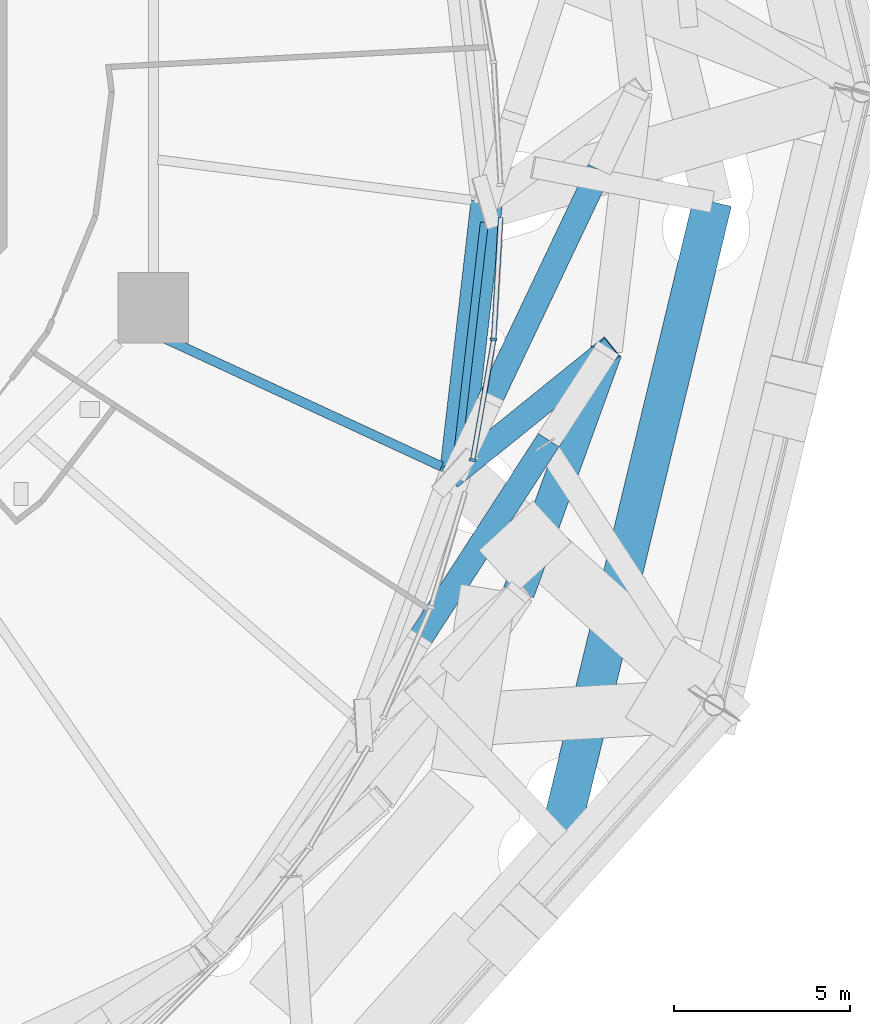
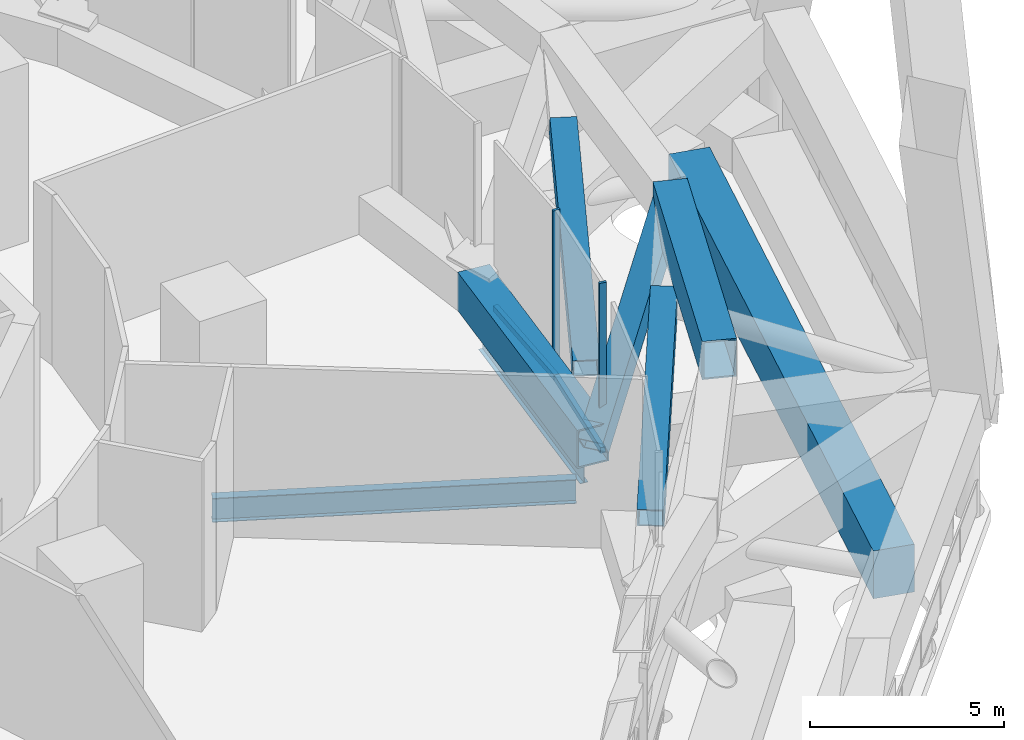
# One storey, part 22 of 49: 7 beams, 5 members, 2 elements without a shape of their own.
"""IFC4 building model written with IfcOpenShell, lengths in metres."""

from ifc_helpers import new_model, si_unit, direction, frame, origin, origin_2d, place, context, subcontext, project, spatial, rectangle, hollow_rectangle, i_section, extrude, material, layer, layer_set, material_profile, profile_set, type_object, element, aggregate, save


model = new_model("IFC4")

# Units and contexts
model_context = context("Model", 3, precision=1e-05, world=origin(), true_north=direction((0.0, 1.0)))
body_context = subcontext(model_context, "Body", "Model", "MODEL_VIEW")
ifc_project = project(units=[si_unit("LENGTHUNIT", "METRE"), si_unit("AREAUNIT", "SQUARE_METRE"), si_unit("VOLUMEUNIT", "CUBIC_METRE"), si_unit("PLANEANGLEUNIT", "RADIAN"), si_unit("MASSUNIT", "GRAM", prefix="KILO")], contexts=[model_context])

# Site, building, storey
site_placement = place(None, origin())
site = spatial("IfcSite", under=ifc_project, at=site_placement, CompositionType="ELEMENT")
building_placement = place(site_placement, origin())
building = spatial("IfcBuilding", under=site, at=building_placement, Name="Nagisa Residences", CompositionType="ELEMENT")
storey_placement = place(building_placement, frame((0.0, 0.0, 160.300048828125)))
storey = spatial("IfcBuildingStorey", under=building, at=storey_placement, Name="L40", CompositionType="ELEMENT", Elevation=160.300048828125)

# Beams
ifc_material_1 = material(Name="Steel ASTM A572 Gr 50", Category="steel")
ifc_material_profile_1 = material_profile(ifc_material_1, hollow_rectangle(XDim=0.89990234375, YDim=1.199951171875, WallThickness=0.044921875, at=origin_2d()), Name="BX 900x1200x45")
ifc_profile_set_1 = profile_set([ifc_material_profile_1], Name="Steel ASTM A572 Gr 50")
beam_type_1 = type_object("IfcBeamType", Name="Belt chord 3 BX 900x1200x45", PredefinedType="BEAM", material=ifc_profile_set_1)
beam_1_placement = place(storey_placement, frame((25.142333984375, -14.1875, 4.739990234375), z_axis=(0.341325710829, 0.939945083038, 0.0), x_axis=(-0.939945083038, 0.341325710829, 0.0)))
element("IfcBeam", 1, at=beam_1_placement, inside=storey, type_object=beam_type_1, Name="beam:L40:bt3t23", PredefinedType="BEAM", context=body_context, shape_type="SweptSolid", body=[
    extrude(hollow_rectangle(XDim=0.89990234375, YDim=1.199951171875, WallThickness=0.044921875, at=origin_2d()), origin(), (0.0, 0.0, 1.0), 7.28076171875),
])
beam_2_placement = place(storey_placement, frame((23.347900390625, -10.80322265625, 0.599853515625), z_axis=(0.114676809707, 0.993402853487, 0.0), x_axis=(-0.993402853487, 0.114676809707, 0.0)))
element("IfcBeam", 2, at=beam_2_placement, inside=storey, type_object=beam_type_1, Name="beam:L40:bt3b24", PredefinedType="BEAM", context=body_context, shape_type="SweptSolid", body=[
    extrude(hollow_rectangle(XDim=0.89990234375, YDim=1.199951171875, WallThickness=0.044921875, at=origin_2d()), origin(), (0.0, 0.0, 1.0), 7.736572265625),
])
ifc_material_2 = material(Name="Steel ASTM A572 Gr 50", Category="steel")
ifc_material_profile_2 = material_profile(ifc_material_2, hollow_rectangle(XDim=0.699951171875, YDim=0.699951171875, WallThickness=0.0400390625, at=origin_2d()), Name="BX 700x700x40")
ifc_profile_set_2 = profile_set([ifc_material_profile_2], Name="Steel ASTM A572 Gr 50")
beam_type_2 = type_object("IfcBeamType", Name="Belt diagonal 3 BX 700x700x40", PredefinedType="BEAM", material=ifc_profile_set_2)
beam_3_placement = place(storey_placement, frame((22.325927734375, -15.528076171875, 1.550048828125), z_axis=(0.516727993159, 0.797695450615, 0.310924667972), x_axis=(-0.839295502361, 0.54367550958, 0.0)))
element("IfcBeam", 3, at=beam_3_placement, inside=storey, type_object=beam_type_2, Name="beam:L40:bt3db23", PredefinedType="BEAM", context=body_context, shape_type="SweptSolid", body=[
    extrude(hollow_rectangle(XDim=0.699951171875, YDim=0.699951171875, WallThickness=0.0400390625, at=origin_2d()), origin(), (0.0, 0.0, 1.0), 7.204345703125),
])
beam_4_placement = place(storey_placement, frame((23.347900390625, -10.80322265625, 0.599853515625), z_axis=(0.621455031415, 0.502333067495, 0.601211388141), x_axis=(-0.628631383554, 0.777703403368, 0.0)))
element("IfcBeam", 4, at=beam_4_placement, inside=storey, type_object=beam_type_2, Name="beam:L40:bt3da24", PredefinedType="BEAM", context=body_context, shape_type="SweptSolid", body=[
    extrude(hollow_rectangle(XDim=0.699951171875, YDim=0.699951171875, WallThickness=0.0400390625, at=origin_2d()), origin(), (0.0, 0.0, 1.0), 6.88623046875),
])
beam_5_placement = place(storey_placement, frame((24.3447265625, -8.70263671875, 1.405029296875), z_axis=(0.405163963113, 0.853704526298, 0.327155536056), x_axis=(-0.903419230362, 0.428758316784, 0.0)))
element("IfcBeam", 5, at=beam_5_placement, inside=storey, type_object=beam_type_2, Name="beam:L40:bt3db24", PredefinedType="BEAM", context=body_context, shape_type="SweptSolid", body=[
    extrude(hollow_rectangle(XDim=0.699951171875, YDim=0.699951171875, WallThickness=0.0400390625, at=origin_2d()), origin(), (0.0, 0.0, 1.0), 7.7333984375),
])

# Curtain wall, member
ifc_material_3 = material(Name="Aluminium curtain wall system", Category="aluminium")
ifc_layer = layer(ifc_material_3, 0.159912109375)
ifc_layer_set = layer_set([ifc_layer], Name="CW2 CURTAIN WALL")
curtain_wall_type = type_object("IfcCurtainWallType", Name="CW2 CURTAIN WALL", PredefinedType="NOTDEFINED", material=ifc_layer_set)
curtain_wall_1_placement = place(storey_placement, origin())
curtain_wall_1 = element("IfcCurtainWall", 6, at=curtain_wall_1_placement, inside=storey, type_object=curtain_wall_type, Name="cw:CW2:L40:46", PredefinedType="NOTDEFINED")
ifc_material_4 = material(Name="Aluminium", Category="aluminium")
ifc_material_profile_3 = material_profile(ifc_material_4, rectangle(XDim=0.199951171875, YDim=0.080078125, at=origin_2d()), Name="CW2 MULLION 200x80")
ifc_profile_set_3 = profile_set([ifc_material_profile_3], Name="Aluminium")
member_type_1 = type_object("IfcMemberType", Name="CW2 MULLION 200x80", PredefinedType="MULLION", material=ifc_profile_set_3)
member_1_placement = place(storey_placement, frame((23.83642578125, -10.436279296875, 0.0), z_axis=(0.0, 0.0, 1.0), x_axis=(-0.985063604377, 0.172190868898, 0.0)))
member_1 = element("IfcMember", 7, at=member_1_placement, type_object=member_type_1, Name="CW2 mullion", PredefinedType="MULLION", context=body_context, shape_type="SweptSolid", body=[
    extrude(rectangle(XDim=0.199951171875, YDim=0.080078125, at=origin_2d()), origin(), (0.0, 0.0, 1.0), 5.33984375),
])

curtain_wall_2_placement = place(storey_placement, origin())
curtain_wall_2 = element("IfcCurtainWall", 8, at=curtain_wall_2_placement, inside=storey, type_object=curtain_wall_type, Name="cw:CW2:L40:47", PredefinedType="NOTDEFINED")
member_2_placement = place(storey_placement, frame((24.430419921875, -7.014404296875, 0.0), z_axis=(0.0, 0.0, 1.0), x_axis=(-0.998345305184, 0.057503492216, 0.0)))
member_2 = element("IfcMember", 9, at=member_2_placement, type_object=member_type_1, Name="CW2 mullion", PredefinedType="MULLION", context=body_context, shape_type="SweptSolid", body=[
    extrude(rectangle(XDim=0.199951171875, YDim=0.080078125, at=origin_2d()), origin(), (0.0, 0.0, 1.0), 5.33984375),
])

# Member
ifc_material_5 = material(Name="Aluminium", Category="aluminium")
ifc_material_profile_4 = material_profile(ifc_material_5, rectangle(XDim=0.139892578125, YDim=0.179931640625, at=origin_2d()), Name="CW2 TRANSOM 140x180")
ifc_profile_set_4 = profile_set([ifc_material_profile_4], Name="Aluminium")
member_type_2 = type_object("IfcMemberType", Name="CW2 TRANSOM 140x180", PredefinedType="USERDEFINED", material=ifc_profile_set_4)
member_3_placement = place(storey_placement, frame((23.82958984375, -10.4755859375, 0.08984375), z_axis=(0.172181360357, 0.98506526644, 0.0), x_axis=(-0.98506526644, 0.172181360357, 0.0)))
member_3 = element("IfcMember", 10, at=member_3_placement, type_object=member_type_2, Name="CW2 transom", ObjectType="TRANSOM", PredefinedType="USERDEFINED", context=body_context, shape_type="SweptSolid", body=[
    extrude(rectangle(XDim=0.139892578125, YDim=0.179931640625, at=origin_2d()), origin(), (0.0, 0.0, 1.0), 3.482421875),
])

aggregate(curtain_wall_1, [member_1, member_3])

member_4_placement = place(storey_placement, frame((24.42822265625, -7.054443359375, 0.08984375), z_axis=(0.057441354177, 0.99834888232, 0.0), x_axis=(-0.99834888232, 0.057441354177, 0.0)))
member_4 = element("IfcMember", 11, at=member_4_placement, type_object=member_type_2, Name="CW2 transom", ObjectType="TRANSOM", PredefinedType="USERDEFINED", context=body_context, shape_type="SweptSolid", body=[
    extrude(rectangle(XDim=0.139892578125, YDim=0.179931640625, at=origin_2d()), origin(), (0.0, 0.0, 1.0), 3.498046875),
])

aggregate(curtain_wall_2, [member_2, member_4])

ifc_material_6 = material(Name="Concrete C80", Category="concrete")
ifc_material_profile_5 = material_profile(ifc_material_6, rectangle(XDim=1.10009765625, YDim=1.5, at=origin_2d()), Name="C80 1100x1500")
ifc_profile_set_5 = profile_set([ifc_material_profile_5], Name="Concrete C80")
member_type_3 = type_object("IfcMemberType", Name="Cage ring 3 C80 1100x1500", PredefinedType="CHORD", material=ifc_profile_set_5)
member_5_placement = place(storey_placement, frame((26.28955078125, -21.165283203125, 1.89990234375), z_axis=(0.234087679097, 0.972215489742, 0.0), x_axis=(-0.972215489742, 0.234087679097, 0.0)))
element("IfcMember", 12, at=member_5_placement, inside=storey, type_object=member_type_3, Name="beam:L40:cg3r112", PredefinedType="CHORD", context=body_context, shape_type="SweptSolid", body=[
    extrude(rectangle(XDim=1.10009765625, YDim=1.5, at=origin_2d()), origin(), (0.0, 0.0, 1.0), 18.5634765625),
])

# Beams
ifc_material_7 = material(Name="Steel ASTM A572 Gr 50", Category="steel")
ifc_material_profile_6 = material_profile(ifc_material_7, i_section(OverallWidth=0.22802734375, OverallDepth=0.60302734375, WebThickness=0.010498046875, FlangeThickness=0.014892578125, at=origin_2d()), Name="W610x101")
ifc_profile_set_6 = profile_set([ifc_material_profile_6], Name="Steel ASTM A572 Gr 50")
beam_type_3 = type_object("IfcBeamType", Name="Perimeter ring beam W610x101", PredefinedType="BEAM", material=ifc_profile_set_6)
beam_6_placement = place(storey_placement, frame((23.414794921875, -10.22314453125, -0.651611328125), z_axis=(0.114660786771, 0.993404703017, 0.0), x_axis=(-0.993404703017, 0.114660786771, 0.0)))
element("IfcBeam", 13, at=beam_6_placement, inside=storey, type_object=beam_type_3, Name="beam:L40:pb24", PredefinedType="BEAM", context=body_context, shape_type="SweptSolid", body=[
    extrude(i_section(OverallWidth=0.22802734375, OverallDepth=0.60302734375, WebThickness=0.010498046875, FlangeThickness=0.014892578125, at=origin_2d()), origin(), (0.0, 0.0, 1.0), 6.568603515625),
])
ifc_material_8 = material(Name="Steel ASTM A572 Gr 50", Category="steel")
ifc_material_profile_7 = material_profile(ifc_material_8, i_section(OverallWidth=0.264892578125, OverallDepth=0.7529296875, WebThickness=0.01318359375, FlangeThickness=0.01708984375, at=origin_2d()), Name="W760x147")
ifc_profile_set_7 = profile_set([ifc_material_profile_7], Name="Steel ASTM A572 Gr 50")
beam_type_4 = type_object("IfcBeamType", Name="Radial beam W760x147", PredefinedType="BEAM", material=ifc_profile_set_7)
beam_7_placement = place(storey_placement, frame((22.94921875, -10.618896484375, -0.7265625), z_axis=(-0.907549374658, 0.419945392353, 0.0), x_axis=(-0.419945392353, -0.907549374658, 0.0)))
element("IfcBeam", 14, at=beam_7_placement, inside=storey, type_object=beam_type_4, Name="beam:L40:rb24", PredefinedType="BEAM", context=body_context, shape_type="SweptSolid", body=[
    extrude(i_section(OverallWidth=0.264892578125, OverallDepth=0.7529296875, WebThickness=0.01318359375, FlangeThickness=0.01708984375, at=origin_2d()), origin(), (0.0, 0.0, 1.0), 9.403564453125),
])

save(model, "model.ifc")
